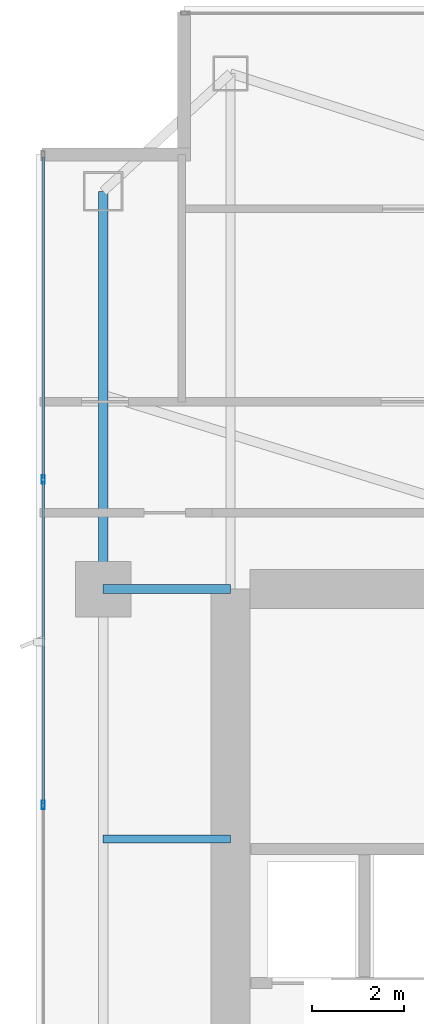
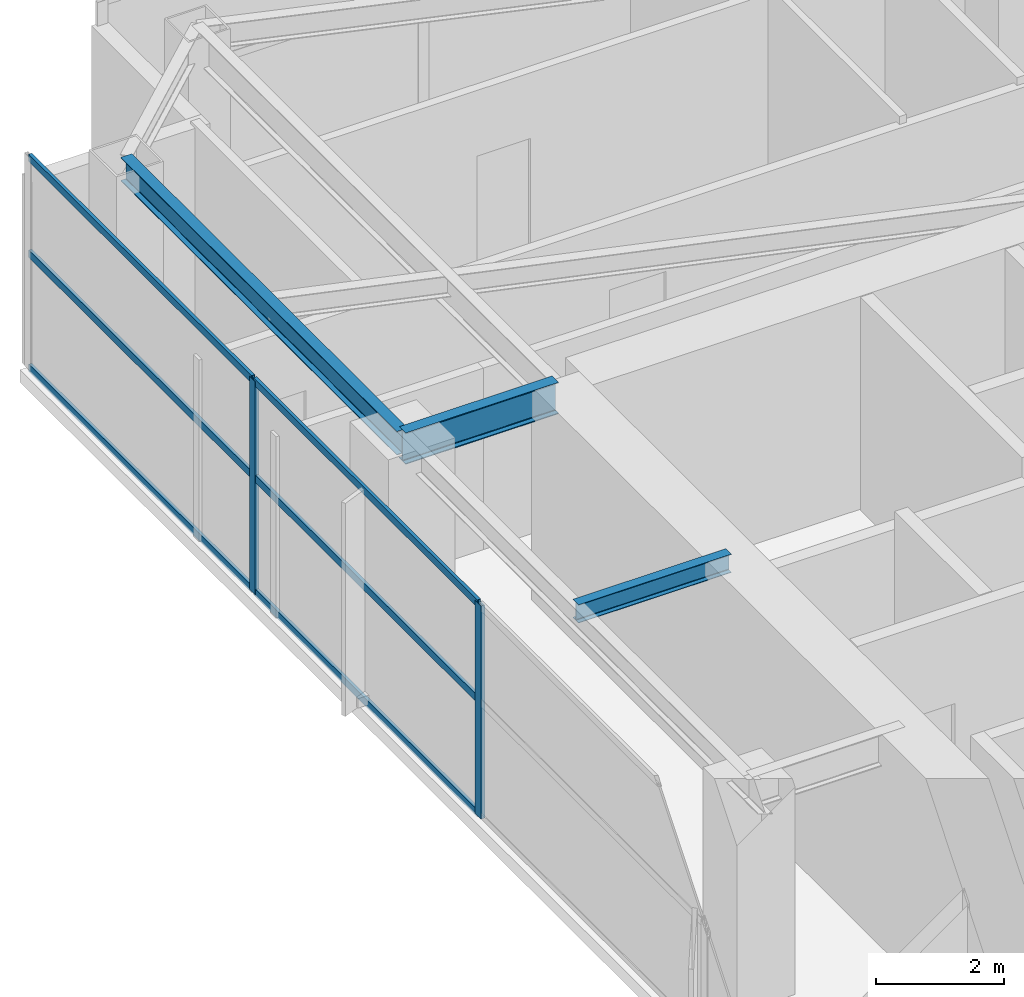
# One storey, part 17 of 30: 8 members, 3 beams, 1 element without a shape of its own.
"""IFC4 building model written with IfcOpenShell, lengths in metres."""

from ifc_helpers import new_model, si_unit, direction, frame, origin, origin_2d, place, context, subcontext, project, spatial, hollow_rectangle, i_section, extrude, material, layer, layer_set, material_profile, profile_set, type_object, element, aggregate, save


model = new_model("IFC4")

# Units and contexts
model_context = context("Model", 3, precision=1e-05, world=origin(), true_north=direction((0.0, 1.0)))
body_context = subcontext(model_context, "Body", "Model", "MODEL_VIEW")
ifc_project = project(units=[si_unit("LENGTHUNIT", "METRE"), si_unit("AREAUNIT", "SQUARE_METRE"), si_unit("VOLUMEUNIT", "CUBIC_METRE"), si_unit("PLANEANGLEUNIT", "RADIAN"), si_unit("MASSUNIT", "GRAM", prefix="KILO")], contexts=[model_context])

# Site, building, storey
site_placement = place(None, origin())
site = spatial("IfcSite", under=ifc_project, at=site_placement, CompositionType="ELEMENT")
building_placement = place(site_placement, origin())
building = spatial("IfcBuilding", under=site, at=building_placement, Name="Calvorn Quay Hotel", CompositionType="ELEMENT")
storey_placement = place(building_placement, frame((0.0, 0.0, 195.10009765625)))
storey = spatial("IfcBuildingStorey", under=building, at=storey_placement, Name="L48", CompositionType="ELEMENT", Elevation=195.10009765625)

# Beams
ifc_material_1 = material(Name="Steel Q355B", Category="steel")
ifc_material_profile_1 = material_profile(ifc_material_1, i_section(OverallWidth=0.199951171875, OverallDepth=0.60009765625, WebThickness=0.010986328125, FlangeThickness=0.01708984375, FilletRadius=0.01806640625, at=origin_2d()), Name="HN600x200x11x17")
ifc_profile_set_1 = profile_set([ifc_material_profile_1], Name="Steel Q355B")
beam_type_1 = type_object("IfcBeamType", Name="BM-GIRD-TYP", PredefinedType="BEAM", material=ifc_profile_set_1)
beam_1_placement = place(storey_placement, frame((1.449951171875, 38.39990234375, 3.75), z_axis=(1.0, 0.0, 0.0), x_axis=(0.0, 1.0, 0.0)))
element("IfcBeam", 1, at=beam_1_placement, inside=storey, type_object=beam_type_1, Name="Beam BG-L48-W3", PredefinedType="BEAM", context=body_context, shape_type="SweptSolid", body=[
    extrude(i_section(OverallWidth=0.199951171875, OverallDepth=0.60009765625, WebThickness=0.010986328125, FlangeThickness=0.01708984375, FilletRadius=0.01806640625, at=origin_2d()), origin(), (0.0, 0.0, 1.0), 2.75),
])
ifc_material_2 = material(Name="Steel Q355B", Category="steel")
ifc_material_profile_2 = material_profile(ifc_material_2, i_section(OverallWidth=0.175048828125, OverallDepth=0.35009765625, WebThickness=0.007080078125, FlangeThickness=0.010986328125, FilletRadius=0.013916015625, at=origin_2d()), Name="HN350x175x7x11")
ifc_profile_set_2 = profile_set([ifc_material_profile_2], Name="Steel Q355B")
beam_type_2 = type_object("IfcBeamType", Name="BM-JOIST-SEC", PredefinedType="JOIST", material=ifc_profile_set_2)
beam_2_placement = place(storey_placement, frame((1.449951171875, 33.0, 3.875), z_axis=(1.0, 0.0, 0.0), x_axis=(0.0, 1.0, 0.0)))
element("IfcBeam", 2, at=beam_2_placement, inside=storey, type_object=beam_type_2, Name="Beam BJ-L48-W4", PredefinedType="JOIST", context=body_context, shape_type="SweptSolid", body=[
    extrude(i_section(OverallWidth=0.175048828125, OverallDepth=0.35009765625, WebThickness=0.007080078125, FlangeThickness=0.010986328125, FilletRadius=0.013916015625, at=origin_2d()), origin(), (0.0, 0.0, 1.0), 2.75),
])
ifc_material_3 = material(Name="Steel Q355B", Category="steel")
ifc_material_profile_3 = material_profile(ifc_material_3, i_section(OverallWidth=0.199951171875, OverallDepth=0.449951171875, WebThickness=0.009033203125, FlangeThickness=0.013916015625, FilletRadius=0.01611328125, at=origin_2d()), Name="HN450x200x9x14")
ifc_profile_set_3 = profile_set([ifc_material_profile_3], Name="Steel Q355B")
beam_type_3 = type_object("IfcBeamType", Name="BM-SPANDREL-Z3", PredefinedType="SPANDREL", material=ifc_profile_set_3)
beam_3_placement = place(storey_placement, frame((1.449951171875, 38.39990234375, 3.824951171875), z_axis=(0.0, 1.0, 0.0), x_axis=(-1.0, 0.0, 0.0)))
element("IfcBeam", 3, at=beam_3_placement, inside=storey, type_object=beam_type_3, Name="Beam BSP-L48-W4", PredefinedType="SPANDREL", context=body_context, shape_type="SweptSolid", body=[
    extrude(i_section(OverallWidth=0.199951171875, OverallDepth=0.449951171875, WebThickness=0.009033203125, FlangeThickness=0.013916015625, FilletRadius=0.01611328125, at=origin_2d()), origin(), (0.0, 0.0, 1.0), 8.60009765625),
])

# Curtain wall, members
ifc_material_4 = material(Name="Champagne Bronze Anodised Aluminium and Low-E Glass", Category="aluminium")
ifc_layer = layer(ifc_material_4, 0.219970703125)
ifc_layer_set = layer_set([ifc_layer], Name="CW-SYS-Z3")
curtain_wall_type = type_object("IfcCurtainWallType", Name="CW-SYS-Z3", PredefinedType="NOTDEFINED", material=ifc_layer_set)
curtain_wall_placement = place(storey_placement, origin())
curtain_wall = element("IfcCurtainWall", 4, at=curtain_wall_placement, inside=storey, type_object=curtain_wall_type, Name="Tower West Curtain Wall (L48)", PredefinedType="NOTDEFINED")
ifc_material_5 = material(Name="Champagne Bronze Anodised Aluminium 6063-T6", Category="aluminium")
ifc_material_profile_4 = material_profile(ifc_material_5, hollow_rectangle(XDim=0.068115234375, YDim=0.18505859375, WallThickness=0.00390625, at=origin_2d()), Name="ALU-M185x68x4")
ifc_profile_set_4 = profile_set([ifc_material_profile_4], Name="Champagne Bronze Anodised Aluminium 6063-T6")
member_type_1 = type_object("IfcMemberType", Name="CW-SYS-Z3-MUL", PredefinedType="MULLION", material=ifc_profile_set_4)
member_1_placement = place(storey_placement, frame((0.14990234375, 33.7333984375, 0.0), z_axis=(0.0, 0.0, 1.0), x_axis=(-1.0, 0.0, 0.0)))
member_1 = element("IfcMember", 5, at=member_1_placement, type_object=member_type_1, Name="CW-L48-W mullion 5", PredefinedType="MULLION", context=body_context, shape_type="SweptSolid", body=[
    extrude(hollow_rectangle(XDim=0.068115234375, YDim=0.18505859375, WallThickness=0.00390625, at=origin_2d()), origin(), (0.0, 0.0, 1.0), 4.0498046875),
])
member_2_placement = place(storey_placement, frame((0.14990234375, 40.7666015625, 0.0), z_axis=(0.0, 0.0, 1.0), x_axis=(-1.0, 0.0, 0.0)))
member_2 = element("IfcMember", 6, at=member_2_placement, type_object=member_type_1, Name="CW-L48-W mullion 6", PredefinedType="MULLION", context=body_context, shape_type="SweptSolid", body=[
    extrude(hollow_rectangle(XDim=0.068115234375, YDim=0.18505859375, WallThickness=0.00390625, at=origin_2d()), origin(), (0.0, 0.0, 1.0), 4.0498046875),
])
ifc_material_6 = material(Name="Champagne Bronze Anodised Aluminium 6063-T6", Category="aluminium")
ifc_material_profile_5 = material_profile(ifc_material_6, hollow_rectangle(XDim=0.05810546875, YDim=0.139892578125, WallThickness=0.003173828125, at=origin_2d()), Name="ALU-T140x58x3.2")
ifc_profile_set_5 = profile_set([ifc_material_profile_5], Name="Champagne Bronze Anodised Aluminium 6063-T6")
member_type_2 = type_object("IfcMemberType", Name="CW-SYS-Z3-TRN", PredefinedType="USERDEFINED", material=ifc_profile_set_5)
member_3_placement = place(storey_placement, frame((0.14990234375, 33.763427734375, 0.02978515625), z_axis=(0.0, 1.0, 0.0), x_axis=(-1.0, 0.0, 0.0)))
member_3 = element("IfcMember", 7, at=member_3_placement, type_object=member_type_2, Name="CW-L48-W transom 5.1", ObjectType="TRANSOM", PredefinedType="USERDEFINED", context=body_context, shape_type="SweptSolid", body=[
    extrude(hollow_rectangle(XDim=0.05810546875, YDim=0.139892578125, WallThickness=0.003173828125, at=origin_2d()), origin(), (0.0, 0.0, 1.0), 6.97314453125),
])
member_4_placement = place(storey_placement, frame((0.14990234375, 33.763427734375, 2.199951171875), z_axis=(0.0, 1.0, 0.0), x_axis=(-1.0, 0.0, 0.0)))
member_4 = element("IfcMember", 8, at=member_4_placement, type_object=member_type_2, Name="CW-L48-W transom 5.2", ObjectType="TRANSOM", PredefinedType="USERDEFINED", context=body_context, shape_type="SweptSolid", body=[
    extrude(hollow_rectangle(XDim=0.05810546875, YDim=0.139892578125, WallThickness=0.003173828125, at=origin_2d()), origin(), (0.0, 0.0, 1.0), 6.97314453125),
])
member_5_placement = place(storey_placement, frame((0.14990234375, 33.763427734375, 4.02001953125), z_axis=(0.0, 1.0, 0.0), x_axis=(-1.0, 0.0, 0.0)))
member_5 = element("IfcMember", 9, at=member_5_placement, type_object=member_type_2, Name="CW-L48-W transom 5.3", ObjectType="TRANSOM", PredefinedType="USERDEFINED", context=body_context, shape_type="SweptSolid", body=[
    extrude(hollow_rectangle(XDim=0.05810546875, YDim=0.139892578125, WallThickness=0.003173828125, at=origin_2d()), origin(), (0.0, 0.0, 1.0), 6.97314453125),
])
member_6_placement = place(storey_placement, frame((0.14990234375, 40.796630859375, 0.02978515625), z_axis=(0.0, 1.0, 0.0), x_axis=(-1.0, 0.0, 0.0)))
member_6 = element("IfcMember", 10, at=member_6_placement, type_object=member_type_2, Name="CW-L48-W transom 6.1", ObjectType="TRANSOM", PredefinedType="USERDEFINED", context=body_context, shape_type="SweptSolid", body=[
    extrude(hollow_rectangle(XDim=0.05810546875, YDim=0.139892578125, WallThickness=0.003173828125, at=origin_2d()), origin(), (0.0, 0.0, 1.0), 6.943359375),
])
member_7_placement = place(storey_placement, frame((0.14990234375, 40.796630859375, 2.199951171875), z_axis=(0.0, 1.0, 0.0), x_axis=(-1.0, 0.0, 0.0)))
member_7 = element("IfcMember", 11, at=member_7_placement, type_object=member_type_2, Name="CW-L48-W transom 6.2", ObjectType="TRANSOM", PredefinedType="USERDEFINED", context=body_context, shape_type="SweptSolid", body=[
    extrude(hollow_rectangle(XDim=0.05810546875, YDim=0.139892578125, WallThickness=0.003173828125, at=origin_2d()), origin(), (0.0, 0.0, 1.0), 6.943359375),
])
member_8_placement = place(storey_placement, frame((0.14990234375, 40.796630859375, 4.02001953125), z_axis=(0.0, 1.0, 0.0), x_axis=(-1.0, 0.0, 0.0)))
member_8 = element("IfcMember", 12, at=member_8_placement, type_object=member_type_2, Name="CW-L48-W transom 6.3", ObjectType="TRANSOM", PredefinedType="USERDEFINED", context=body_context, shape_type="SweptSolid", body=[
    extrude(hollow_rectangle(XDim=0.05810546875, YDim=0.139892578125, WallThickness=0.003173828125, at=origin_2d()), origin(), (0.0, 0.0, 1.0), 6.943359375),
])
aggregate(curtain_wall, [member_1, member_2, member_3, member_4, member_5, member_6, member_7, member_8])

save(model, "model.ifc")
